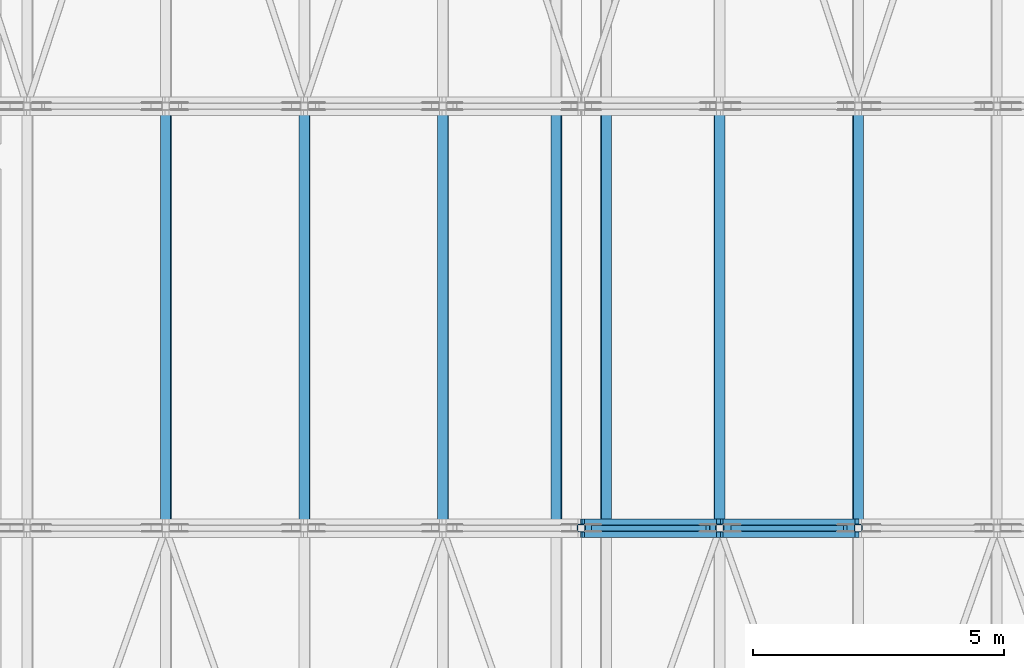
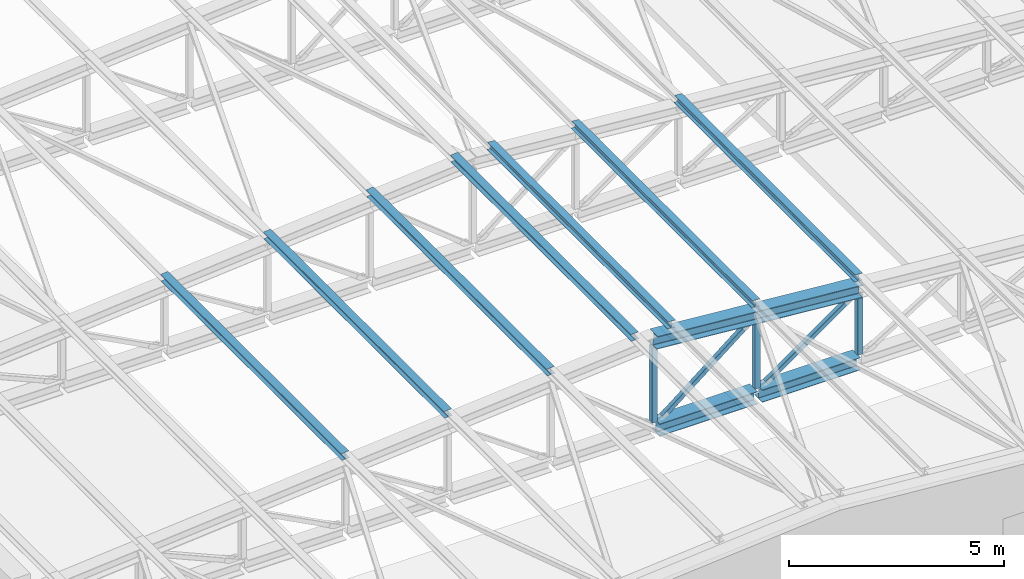
# One storey, part 11 of 60: 16 members.
"""IFC4 building model written with IfcOpenShell, lengths in metres."""

from ifc_helpers import new_model, si_unit, direction, frame, origin, origin_2d, place, context, subcontext, project, spatial, hollow_rectangle, i_section, extrude, material, material_profile, profile_set, type_object, element, save


model = new_model("IFC4")

# Units and contexts
model_context = context("Model", 3, precision=1e-05, world=origin(), true_north=direction((0.0, 1.0)))
body_context = subcontext(model_context, "Body", "Model", "MODEL_VIEW")
ifc_project = project(units=[si_unit("LENGTHUNIT", "METRE"), si_unit("AREAUNIT", "SQUARE_METRE"), si_unit("VOLUMEUNIT", "CUBIC_METRE"), si_unit("PLANEANGLEUNIT", "RADIAN"), si_unit("MASSUNIT", "GRAM", prefix="KILO")], contexts=[model_context])

# Site, building, storey
site_placement = place(None, origin())
site = spatial("IfcSite", under=ifc_project, at=site_placement, CompositionType="ELEMENT")
building_placement = place(site_placement, origin())
building = spatial("IfcBuilding", under=site, at=building_placement, Name="Ljudholm Concert House", CompositionType="ELEMENT")
storey_placement = place(building_placement, frame((0.0, 0.0, 15.0)))
storey = spatial("IfcBuildingStorey", under=building, at=storey_placement, Name="L03", CompositionType="ELEMENT", Elevation=15.0)

# Members
ifc_material_1 = material(Name="Steel ASTM A500 Gr. C", Category="steel")
ifc_material_profile_1 = material_profile(ifc_material_1, hollow_rectangle(XDim=0.126953125, YDim=0.126953125, WallThickness=0.00732421875, InnerFilletRadius=0.003662109375, OuterFilletRadius=0.010986328125, at=origin_2d()), Name="HSS5X5X5/16")
ifc_profile_set_1 = profile_set([ifc_material_profile_1], Name="Steel ASTM A500 Gr. C")
member_type_1 = type_object("IfcMemberType", Name="STEEL MEMBER HSS5X5X5/16 BRACE", PredefinedType="BRACE", material=ifc_profile_set_1)
member_1_placement = place(storey_placement, frame((29.439697265625, 12.39990234375, 0.92724609375), z_axis=(0.780338427861, 0.0, 0.625357448187), x_axis=(0.0, 1.0, 0.0)))
element("IfcMember", 1, at=member_1_placement, inside=storey, type_object=member_type_1, Name="Roof truss T2 diagonal", PredefinedType="BRACE", context=body_context, shape_type="SweptSolid", body=[
    extrude(hollow_rectangle(XDim=0.126953125, YDim=0.126953125, WallThickness=0.00732421875, InnerFilletRadius=0.003662109375, OuterFilletRadius=0.010986328125, at=origin_2d()), origin(), (0.0, 0.0, 1.0), 2.920654296875),
])
member_2_placement = place(storey_placement, frame((32.21728515625, 12.39990234375, 0.9296875), z_axis=(0.815662734234, 0.0, 0.57852770373), x_axis=(0.0, 1.0, 0.0)))
element("IfcMember", 2, at=member_2_placement, inside=storey, type_object=member_type_1, Name="Roof truss T2 diagonal", PredefinedType="BRACE", context=body_context, shape_type="SweptSolid", body=[
    extrude(hollow_rectangle(XDim=0.126953125, YDim=0.126953125, WallThickness=0.00732421875, InnerFilletRadius=0.003662109375, OuterFilletRadius=0.010986328125, at=origin_2d()), origin(), (0.0, 0.0, 1.0), 2.746826171875),
])
ifc_material_2 = material(Name="Steel ASTM A500 Gr. C", Category="steel")
ifc_material_profile_2 = material_profile(ifc_material_2, hollow_rectangle(XDim=0.15234375, YDim=0.15234375, WallThickness=0.0087890625, InnerFilletRadius=0.00439453125, OuterFilletRadius=0.01318359375, at=origin_2d()), Name="HSS6X6X3/8")
ifc_profile_set_2 = profile_set([ifc_material_profile_2], Name="Steel ASTM A500 Gr. C")
member_type_2 = type_object("IfcMemberType", Name="STEEL MEMBER HSS6X6X3/8 POST", PredefinedType="POST", material=ifc_profile_set_2)
member_3_placement = place(storey_placement, frame((29.199951171875, 12.39990234375, 0.877685546875), z_axis=(0.0, 0.0, 1.0), x_axis=(1.0, 0.0, 0.0)))
element("IfcMember", 3, at=member_3_placement, inside=storey, type_object=member_type_2, Name="Roof truss T2 post", PredefinedType="POST", context=body_context, shape_type="SweptSolid", body=[
    extrude(hollow_rectangle(XDim=0.15234375, YDim=0.15234375, WallThickness=0.0087890625, InnerFilletRadius=0.00439453125, OuterFilletRadius=0.01318359375, at=origin_2d()), origin(), (0.0, 0.0, 1.0), 2.143798828125),
])
member_4_placement = place(storey_placement, frame((31.958251953125, 12.39990234375, 0.877685546875), z_axis=(0.0, 0.0, 1.0), x_axis=(1.0, 0.0, 0.0)))
element("IfcMember", 4, at=member_4_placement, inside=storey, type_object=member_type_2, Name="Roof truss T2 post", PredefinedType="POST", context=body_context, shape_type="SweptSolid", body=[
    extrude(hollow_rectangle(XDim=0.15234375, YDim=0.15234375, WallThickness=0.0087890625, InnerFilletRadius=0.00439453125, OuterFilletRadius=0.01318359375, at=origin_2d()), origin(), (0.0, 0.0, 1.0), 1.91064453125),
])
member_5_placement = place(storey_placement, frame((34.716552734375, 12.39990234375, 0.877685546875), z_axis=(0.0, 0.0, 1.0), x_axis=(1.0, 0.0, 0.0)))
element("IfcMember", 5, at=member_5_placement, inside=storey, type_object=member_type_2, Name="Roof truss T2 post", PredefinedType="POST", context=body_context, shape_type="SweptSolid", body=[
    extrude(hollow_rectangle(XDim=0.15234375, YDim=0.15234375, WallThickness=0.0087890625, InnerFilletRadius=0.00439453125, OuterFilletRadius=0.01318359375, at=origin_2d()), origin(), (0.0, 0.0, 1.0), 1.67724609375),
])
ifc_material_3 = material(Name="Steel ASTM A992", Category="steel")
ifc_material_profile_3 = material_profile(ifc_material_3, i_section(OverallWidth=0.368408203125, OverallDepth=0.355712890625, WebThickness=0.01123046875, FlangeThickness=0.01806640625, FilletRadius=0.01513671875, at=origin_2d()), Name="W14X90")
ifc_profile_set_3 = profile_set([ifc_material_profile_3], Name="Steel ASTM A992")
member_type_3 = type_object("IfcMemberType", Name="STEEL MEMBER W14X90 CHORD", PredefinedType="CHORD", material=ifc_profile_set_3)
member_6_placement = place(storey_placement, frame((29.199951171875, 12.39990234375, 3.199951171875), z_axis=(0.996439113695, 0.0, -0.084315435714), x_axis=(0.0, 1.0, 0.0)))
element("IfcMember", 6, at=member_6_placement, inside=storey, type_object=member_type_3, Name="Roof truss T2 top chord", PredefinedType="CHORD", context=body_context, shape_type="SweptSolid", body=[
    extrude(i_section(OverallWidth=0.368408203125, OverallDepth=0.355712890625, WebThickness=0.01123046875, FlangeThickness=0.01806640625, FilletRadius=0.01513671875, at=origin_2d()), origin(), (0.0, 0.0, 1.0), 2.76806640625),
])
member_7_placement = place(storey_placement, frame((29.261962890625, 12.39990234375, 0.699951171875), z_axis=(1.0, 0.0, 0.0), x_axis=(0.0, 1.0, 0.0)))
element("IfcMember", 7, at=member_7_placement, inside=storey, type_object=member_type_3, Name="Roof truss T2 bottom chord", PredefinedType="CHORD", context=body_context, shape_type="SweptSolid", body=[
    extrude(i_section(OverallWidth=0.368408203125, OverallDepth=0.355712890625, WebThickness=0.01123046875, FlangeThickness=0.01806640625, FilletRadius=0.01513671875, at=origin_2d()), origin(), (0.0, 0.0, 1.0), 2.63427734375),
])
member_8_placement = place(storey_placement, frame((31.958251953125, 12.39990234375, 2.966552734375), z_axis=(0.996446519711, 0.0, -0.084227865669), x_axis=(0.0, 1.0, 0.0)))
element("IfcMember", 8, at=member_8_placement, inside=storey, type_object=member_type_3, Name="Roof truss T2 top chord", PredefinedType="CHORD", context=body_context, shape_type="SweptSolid", body=[
    extrude(i_section(OverallWidth=0.368408203125, OverallDepth=0.355712890625, WebThickness=0.01123046875, FlangeThickness=0.01806640625, FilletRadius=0.01513671875, at=origin_2d()), origin(), (0.0, 0.0, 1.0), 2.76806640625),
])
member_9_placement = place(storey_placement, frame((32.020263671875, 12.39990234375, 0.699951171875), z_axis=(1.0, 0.0, 0.0), x_axis=(0.0, 1.0, 0.0)))
element("IfcMember", 9, at=member_9_placement, inside=storey, type_object=member_type_3, Name="Roof truss T2 bottom chord", PredefinedType="CHORD", context=body_context, shape_type="SweptSolid", body=[
    extrude(i_section(OverallWidth=0.368408203125, OverallDepth=0.355712890625, WebThickness=0.01123046875, FlangeThickness=0.01806640625, FilletRadius=0.01513671875, at=origin_2d()), origin(), (0.0, 0.0, 1.0), 2.634521484375),
])
ifc_material_4 = material(Name="Steel ASTM A992", Category="steel")
ifc_material_profile_4 = material_profile(ifc_material_4, i_section(OverallWidth=0.203125, OverallDepth=0.203125, WebThickness=0.00732421875, FlangeThickness=0.010986328125, FilletRadius=0.010009765625, at=origin_2d()), Name="W8X31")
ifc_profile_set_4 = profile_set([ifc_material_profile_4], Name="Steel ASTM A992")
member_type_4 = type_object("IfcMemberType", Name="STEEL MEMBER W8X31 PURLIN", PredefinedType="PURLIN", material=ifc_profile_set_4)
for number, where, z_axis, x_axis, name in (
    (10, (20.93359375, 12.39990234375, 2.781005859375), (0.0, 1.0, 0.0), (-0.996441172925, 0.0, -0.084291096202), "Purlin"),
    (11, (23.69189453125, 12.39990234375, 3.014404296875), (0.0, 1.0, 0.0), (-0.996441172925, 0.0, -0.084291096202), "Purlin"),
    (12, (26.4501953125, 12.39990234375, 3.247802734375), (0.0, 1.0, 0.0), (-0.996441172925, 0.0, -0.084291096202), "Purlin"),
    (13, (28.70849609375, 12.39990234375, 3.438720703125), (0.0, 1.0, 0.0), (-0.996441172925, 0.0, -0.084291096202), "Purlin"),
    (14, (34.7080078125, 12.39990234375, 3.014404296875), (0.0, 1.0, 0.0), (-0.996441172925, 0.0, 0.084291096202), "Purlin"),
    (15, (31.94970703125, 12.39990234375, 3.247802734375), (0.0, 1.0, 0.0), (-0.996441172925, 0.0, 0.084291096202), "Purlin"),
    (16, (29.69140625, 12.39990234375, 3.438720703125), (0.0, 1.0, 0.0), (-0.996441172925, 0.0, 0.084291096202), "Purlin"),
):
    element("IfcMember", number, at=place(storey_placement, frame(where, z_axis=z_axis, x_axis=x_axis)), inside=storey, type_object=member_type_4, Name=name, PredefinedType="PURLIN", context=body_context, shape_type="SweptSolid", body=[
        extrude(i_section(OverallWidth=0.203125, OverallDepth=0.203125, WebThickness=0.00732421875, FlangeThickness=0.010986328125, FilletRadius=0.010009765625, at=origin_2d()), origin(), (0.0, 0.0, 1.0), 8.400146484375),
    ])

save(model, "model.ifc")
